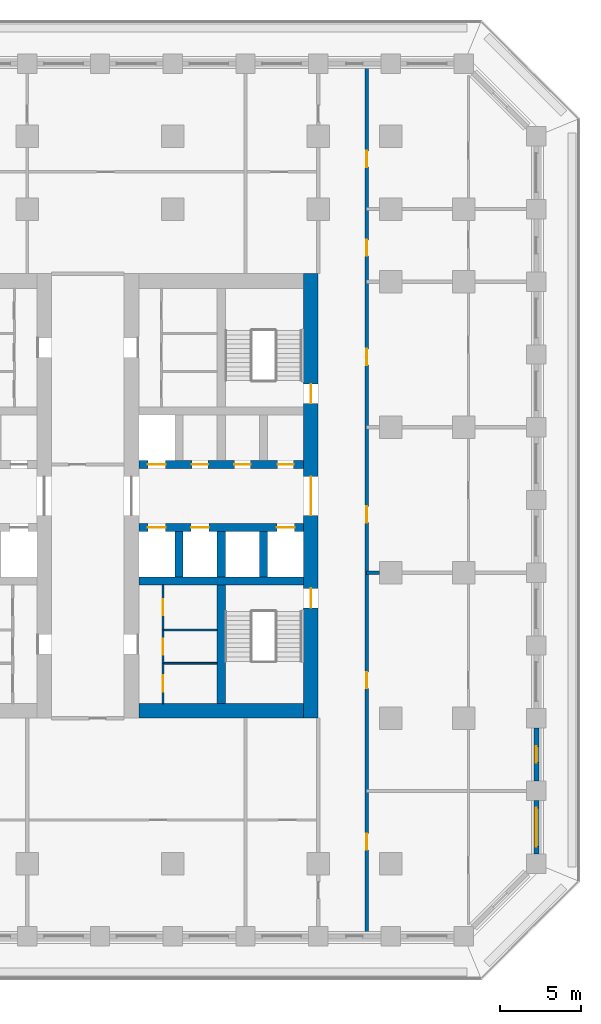
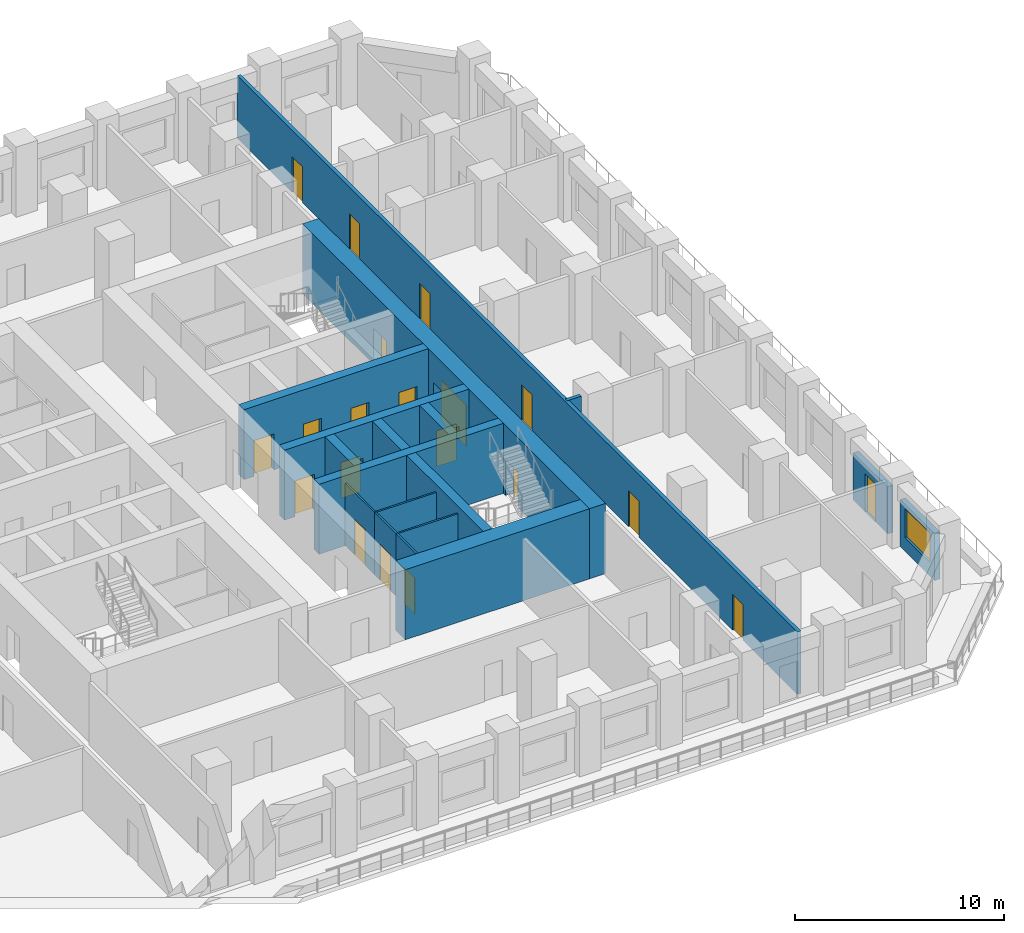
# One storey, part 5 of 17: 20 doors, 18 walls, 1 window, 21 openings.
"""IFC4 building model written with IfcOpenShell, lengths in metres."""

from ifc_helpers import new_model, si_unit, direction, frame, frame_2d, origin, place, context, subcontext, project, spatial, rectangle, extrude, material, layer, layer_set, type_object, element, fill, save


model = new_model("IFC4")

# Units and contexts
model_context = context("Model", 3, precision=1e-05, world=origin(), true_north=direction((0.0, 1.0)))
body_context = subcontext(model_context, "Body", "Model", "MODEL_VIEW")
ifc_project = project(units=[si_unit("LENGTHUNIT", "METRE"), si_unit("AREAUNIT", "SQUARE_METRE"), si_unit("VOLUMEUNIT", "CUBIC_METRE"), si_unit("PLANEANGLEUNIT", "RADIAN"), si_unit("MASSUNIT", "GRAM", prefix="KILO")], contexts=[model_context])

# Site, building, storey
site_placement = place(None, origin())
site = spatial("IfcSite", under=ifc_project, at=site_placement, CompositionType="ELEMENT")
building_placement = place(site_placement, origin())
building = spatial("IfcBuilding", under=site, at=building_placement, Name="Corbel Stack Research Tower", CompositionType="ELEMENT")
storey_placement = place(building_placement, frame((0.0, 0.0, 86.10009765625)))
storey = spatial("IfcBuildingStorey", under=building, at=storey_placement, Name="L19", CompositionType="ELEMENT", Elevation=86.10009765625)

# Wall
ifc_material_1 = material(Name="Concrete C70/85", Category="concrete")
ifc_layer_1 = layer(ifc_material_1, 0.5)
ifc_layer_set_1 = layer_set([ifc_layer_1], Name="Concrete C70/85")
wall_type_1 = type_object("IfcWallType", Name="CW-500-70", PredefinedType="SHEAR", material=ifc_layer_set_1)
wall_1_placement = place(storey_placement, frame((6.89990234375, -0.5, 0.0), z_axis=(0.0, 0.0, 1.0), x_axis=(1.0, 0.0, 0.0)))
element("IfcWall", 1, at=wall_1_placement, inside=storey, type_object=wall_type_1, Name="East core wall, south row back L19", PredefinedType="SHEAR", context=body_context, shape_type="SweptSolid", body=[
    extrude(rectangle(XDim=10.2001953125, YDim=0.5, at=frame_2d((5.10009765625, 0.0))), origin(), (0.0, 0.0, 1.0), 4.099853515625),
])

# Wall, openings, doors
wall_2_placement = place(storey_placement, frame((6.89990234375, 2.800048828125, 0.0), z_axis=(0.0, 0.0, 1.0), x_axis=(1.0, 0.0, 0.0)))
wall_2 = element("IfcWall", 2, at=wall_2_placement, inside=storey, type_object=wall_type_1, Name="East core wall, lobby south L19", PredefinedType="SHEAR", context=body_context, shape_type="SweptSolid", body=[
    extrude(rectangle(XDim=10.2001953125, YDim=0.5, at=frame_2d((5.10009765625, 0.0))), origin(), (0.0, 0.0, 1.0), 4.099853515625),
])
opening_1_placement = place(wall_2_placement, frame((0.5625, 0.0, 0.0)))
opening_1 = element("IfcOpeningElement", 3, at=opening_1_placement, cuts=wall_2, Name="Opening LD-FS2", PredefinedType="OPENING", context=body_context, shape_type="SweptSolid", body=[
    extrude(rectangle(XDim=1.10009765625, YDim=2.10009765625, at=frame_2d((0.550048828125, 1.050048828125))), frame((0.0, 0.260009765625, 0.0), z_axis=(0.0, -1.0, 0.0), x_axis=(1.0, 0.0, 0.0)), (0.0, 0.0, 1.0), 0.52001953125),
])
opening_2_placement = place(wall_2_placement, frame((3.237548828125, 0.0, 0.0)))
opening_2 = element("IfcOpeningElement", 4, at=opening_2_placement, cuts=wall_2, Name="Opening LD-GL2", PredefinedType="OPENING", context=body_context, shape_type="SweptSolid", body=[
    extrude(rectangle(XDim=1.10009765625, YDim=2.10009765625, at=frame_2d((0.550048828125, 1.050048828125))), frame((0.0, 0.260009765625, 0.0), z_axis=(0.0, -1.0, 0.0), x_axis=(1.0, 0.0, 0.0)), (0.0, 0.0, 1.0), 0.52001953125),
])
opening_3_placement = place(wall_2_placement, frame((8.53759765625, 0.0, 0.0)))
opening_3 = element("IfcOpeningElement", 5, at=opening_3_placement, cuts=wall_2, Name="Opening LD-LR3", PredefinedType="OPENING", context=body_context, shape_type="SweptSolid", body=[
    extrude(rectangle(XDim=1.10009765625, YDim=2.10009765625, at=frame_2d((0.550048828125, 1.050048828125))), frame((0.0, 0.260009765625, 0.0), z_axis=(0.0, -1.0, 0.0), x_axis=(1.0, 0.0, 0.0)), (0.0, 0.0, 1.0), 0.52001953125),
])
ifc_material_2 = material(Name="Stainless steel landing door", Category="steel")
door_type_1 = type_object("IfcDoorType", Name="Lift landing door 1100 x 2100", OperationType="DOUBLE_DOOR_SLIDING", PredefinedType="DOOR", material=ifc_material_2)
door_1_placement = place(opening_1_placement, origin())
door_1 = element("IfcDoor", 6, at=door_1_placement, inside=storey, type_object=door_type_1, Name="Landing door FS2", OperationType="DOUBLE_DOOR_SLIDING", OverallHeight=2.10009765625, OverallWidth=1.10009765625, PredefinedType="DOOR", context=body_context, shape_type="SweptSolid", body=[
    extrude(rectangle(XDim=1.10009765625, YDim=2.10009765625, at=frame_2d((0.550048828125, 1.050048828125))), frame((0.0, 0.02490234375, 0.0), z_axis=(0.0, -1.0, 0.0), x_axis=(1.0, 0.0, 0.0)), (0.0, 0.0, 1.0), 0.050048828125),
])
fill(opening_1, door_1)
door_2_placement = place(opening_2_placement, origin())
door_2 = element("IfcDoor", 7, at=door_2_placement, inside=storey, type_object=door_type_1, Name="Landing door GL2", OperationType="DOUBLE_DOOR_SLIDING", OverallHeight=2.10009765625, OverallWidth=1.10009765625, PredefinedType="DOOR", context=body_context, shape_type="SweptSolid", body=[
    extrude(rectangle(XDim=1.10009765625, YDim=2.10009765625, at=frame_2d((0.550048828125, 1.050048828125))), frame((0.0, 0.02490234375, 0.0), z_axis=(0.0, -1.0, 0.0), x_axis=(1.0, 0.0, 0.0)), (0.0, 0.0, 1.0), 0.050048828125),
])
fill(opening_2, door_2)
door_3_placement = place(opening_3_placement, origin())
door_3 = element("IfcDoor", 8, at=door_3_placement, inside=storey, type_object=door_type_1, Name="Landing door LR3", OperationType="DOUBLE_DOOR_SLIDING", OverallHeight=2.10009765625, OverallWidth=1.10009765625, PredefinedType="DOOR", context=body_context, shape_type="SweptSolid", body=[
    extrude(rectangle(XDim=1.10009765625, YDim=2.10009765625, at=frame_2d((0.550048828125, 1.050048828125))), frame((0.0, 0.02490234375, 0.0), z_axis=(0.0, -1.0, 0.0), x_axis=(1.0, 0.0, 0.0)), (0.0, 0.0, 1.0), 0.050048828125),
])
fill(opening_3, door_3)

wall_3_placement = place(storey_placement, frame((6.89990234375, 6.699951171875, 0.0), z_axis=(0.0, 0.0, 1.0), x_axis=(1.0, 0.0, 0.0)))
wall_3 = element("IfcWall", 9, at=wall_3_placement, inside=storey, type_object=wall_type_1, Name="East core wall, lobby north L19", PredefinedType="SHEAR", context=body_context, shape_type="SweptSolid", body=[
    extrude(rectangle(XDim=10.2001953125, YDim=0.5, at=frame_2d((5.10009765625, 0.0))), origin(), (0.0, 0.0, 1.0), 4.099853515625),
])
opening_4_placement = place(wall_3_placement, frame((0.5625, 0.0, 0.0)))
opening_4 = element("IfcOpeningElement", 10, at=opening_4_placement, cuts=wall_3, Name="Opening LD-LR4", PredefinedType="OPENING", context=body_context, shape_type="SweptSolid", body=[
    extrude(rectangle(XDim=1.10009765625, YDim=2.10009765625, at=frame_2d((0.550048828125, 1.050048828125))), frame((0.0, 0.260009765625, 0.0), z_axis=(0.0, -1.0, 0.0), x_axis=(1.0, 0.0, 0.0)), (0.0, 0.0, 1.0), 0.52001953125),
])
opening_5_placement = place(wall_3_placement, frame((3.28759765625, 0.0, 0.0)))
opening_5 = element("IfcOpeningElement", 11, at=opening_5_placement, cuts=wall_3, Name="Opening CR-E12-N2", PredefinedType="OPENING", context=body_context, shape_type="SweptSolid", body=[
    extrude(rectangle(XDim=1.0, YDim=2.10009765625, at=frame_2d((0.5, 1.050048828125))), frame((0.0, 0.260009765625, 0.0), z_axis=(0.0, -1.0, 0.0), x_axis=(1.0, 0.0, 0.0)), (0.0, 0.0, 1.0), 0.52001953125),
])
opening_6_placement = place(wall_3_placement, frame((5.91259765625, 0.0, 0.0)))
opening_6 = element("IfcOpeningElement", 12, at=opening_6_placement, cuts=wall_3, Name="Opening CR-E12-N3", PredefinedType="OPENING", context=body_context, shape_type="SweptSolid", body=[
    extrude(rectangle(XDim=1.0, YDim=2.10009765625, at=frame_2d((0.5, 1.050048828125))), frame((0.0, 0.260009765625, 0.0), z_axis=(0.0, -1.0, 0.0), x_axis=(1.0, 0.0, 0.0)), (0.0, 0.0, 1.0), 0.52001953125),
])
opening_7_placement = place(wall_3_placement, frame((8.58740234375, 0.0, 0.0)))
opening_7 = element("IfcOpeningElement", 13, at=opening_7_placement, cuts=wall_3, Name="Opening CR-E12-N4", PredefinedType="OPENING", context=body_context, shape_type="SweptSolid", body=[
    extrude(rectangle(XDim=1.0, YDim=2.10009765625, at=frame_2d((0.5, 1.050048828125))), frame((0.0, 0.260009765625, 0.0), z_axis=(0.0, -1.0, 0.0), x_axis=(1.0, 0.0, 0.0)), (0.0, 0.0, 1.0), 0.52001953125),
])
door_4_placement = place(opening_4_placement, origin())
door_4 = element("IfcDoor", 14, at=door_4_placement, inside=storey, type_object=door_type_1, Name="Landing door LR4", OperationType="DOUBLE_DOOR_SLIDING", OverallHeight=2.10009765625, OverallWidth=1.10009765625, PredefinedType="DOOR", context=body_context, shape_type="SweptSolid", body=[
    extrude(rectangle(XDim=1.10009765625, YDim=2.10009765625, at=frame_2d((0.550048828125, 1.050048828125))), frame((0.0, 0.02490234375, 0.0), z_axis=(0.0, -1.0, 0.0), x_axis=(1.0, 0.0, 0.0)), (0.0, 0.0, 1.0), 0.050048828125),
])
fill(opening_4, door_4)
ifc_material_3 = material(Name="Painted steel door", Category="steel")
door_type_2 = type_object("IfcDoorType", Name="Service door 1000 x 2100 FD60 left hand", OperationType="SINGLE_SWING_LEFT", PredefinedType="DOOR", material=ifc_material_3)
door_5_placement = place(opening_6_placement, origin())
door_5 = element("IfcDoor", 15, at=door_5_placement, inside=storey, type_object=door_type_2, Name="Mechanical room door E core", OperationType="SINGLE_SWING_LEFT", OverallHeight=2.10009765625, OverallWidth=1.0, PredefinedType="DOOR", context=body_context, shape_type="SweptSolid", body=[
    extrude(rectangle(XDim=1.0, YDim=2.10009765625, at=frame_2d((0.5, 1.050048828125))), frame((0.0, 0.02490234375, 0.0), z_axis=(0.0, -1.0, 0.0), x_axis=(1.0, 0.0, 0.0)), (0.0, 0.0, 1.0), 0.050048828125),
])
fill(opening_6, door_5)
ifc_material_4 = material(Name="Painted steel door", Category="steel")
door_type_3 = type_object("IfcDoorType", Name="Service door 1000 x 2100 FD60 right hand", OperationType="SINGLE_SWING_RIGHT", PredefinedType="DOOR", material=ifc_material_4)
door_6_placement = place(opening_5_placement, origin())
door_6 = element("IfcDoor", 16, at=door_6_placement, inside=storey, type_object=door_type_3, Name="Vending bay door E core", OperationType="SINGLE_SWING_RIGHT", OverallHeight=2.10009765625, OverallWidth=1.0, PredefinedType="DOOR", context=body_context, shape_type="SweptSolid", body=[
    extrude(rectangle(XDim=1.0, YDim=2.10009765625, at=frame_2d((0.5, 1.050048828125))), frame((0.0, 0.02490234375, 0.0), z_axis=(0.0, -1.0, 0.0), x_axis=(1.0, 0.0, 0.0)), (0.0, 0.0, 1.0), 0.050048828125),
])
fill(opening_5, door_6)
door_7_placement = place(opening_7_placement, origin())
door_7 = element("IfcDoor", 17, at=door_7_placement, inside=storey, type_object=door_type_3, Name="Telecom room door E core", OperationType="SINGLE_SWING_RIGHT", OverallHeight=2.10009765625, OverallWidth=1.0, PredefinedType="DOOR", context=body_context, shape_type="SweptSolid", body=[
    extrude(rectangle(XDim=1.0, YDim=2.10009765625, at=frame_2d((0.5, 1.050048828125))), frame((0.0, 0.02490234375, 0.0), z_axis=(0.0, -1.0, 0.0), x_axis=(1.0, 0.0, 0.0)), (0.0, 0.0, 1.0), 0.050048828125),
])
fill(opening_7, door_7)

# Walls
for number, where, z_axis, x_axis, name in (
    (18, (9.375, -0.25, 0.0), (0.0, 0.0, 1.0), (0.0, 1.0, 0.0), "East core wall, south shaft 1 L19"),
    (19, (12.0, -0.25, 0.0), (0.0, 0.0, 1.0), (0.0, 1.0, 0.0), "East core wall, south shaft 2 L19"),
    (20, (14.625, -0.25, 0.0), (0.0, 0.0, 1.0), (0.0, 1.0, 0.0), "East core wall, south shaft 3 L19"),
):
    element("IfcWall", number, at=place(storey_placement, frame(where, z_axis=z_axis, x_axis=x_axis)), inside=storey, type_object=wall_type_1, Name=name, PredefinedType="SHEAR", context=body_context, shape_type="SweptSolid", body=[
        extrude(rectangle(XDim=2.800048828125, YDim=0.5, at=frame_2d((1.39990234375, 0.0))), origin(), (0.0, 0.0, 1.0), 4.099853515625),
    ])
wall_4_placement = place(storey_placement, frame((12.0, -8.10009765625, 0.0), z_axis=(0.0, 0.0, 1.0), x_axis=(0.0, 1.0, 0.0)))
element("IfcWall", 21, at=wall_4_placement, inside=storey, type_object=wall_type_1, Name="East core wall, south stair and WC L19", PredefinedType="SHEAR", context=body_context, shape_type="SweptSolid", body=[
    extrude(rectangle(XDim=7.35009765625, YDim=0.5, at=frame_2d((3.675048828125, 0.0))), origin(), (0.0, 0.0, 1.0), 4.099853515625),
])

# Wall, openings, doors
ifc_material_5 = material(Name="Concrete C70/85", Category="concrete")
ifc_layer_2 = layer(ifc_material_5, 0.89990234375)
ifc_layer_set_2 = layer_set([ifc_layer_2], Name="Concrete C70/85")
wall_type_2 = type_object("IfcWallType", Name="CW-900-70", PredefinedType="SHEAR", material=ifc_layer_set_2)
wall_5_placement = place(storey_placement, frame((17.550048828125, -9.0, 0.0), z_axis=(0.0, 0.0, 1.0), x_axis=(0.0, 1.0, 0.0)))
wall_5 = element("IfcWall", 22, at=wall_5_placement, inside=storey, type_object=wall_type_2, Name="East core wall, east face L19", PredefinedType="SHEAR", context=body_context, shape_type="SweptSolid", body=[
    extrude(rectangle(XDim=27.5, YDim=0.89990234375, at=frame_2d((13.75, 0.0))), origin(), (0.0, 0.0, 1.0), 4.099853515625),
])
opening_8_placement = place(wall_5_placement, frame((12.550048828125, 0.0, 0.0)))
opening_8 = element("IfcOpeningElement", 23, at=opening_8_placement, cuts=wall_5, Name="Opening CD-E-E", PredefinedType="OPENING", context=body_context, shape_type="SweptSolid", body=[
    extrude(rectangle(XDim=2.39990234375, YDim=2.39990234375, at=frame_2d((1.199951171875, 1.199951171875))), frame((0.0, 0.4599609375, 0.0), z_axis=(0.0, -1.0, 0.0), x_axis=(1.0, 0.0, 0.0)), (0.0, 0.0, 1.0), 0.919921875),
])
opening_9_placement = place(wall_5_placement, frame((6.824951171875, 0.0, 0.0)))
opening_9 = element("IfcOpeningElement", 24, at=opening_9_placement, cuts=wall_5, Name="Opening SD-ST-E1", PredefinedType="OPENING", context=body_context, shape_type="SweptSolid", body=[
    extrude(rectangle(XDim=1.199951171875, YDim=2.10009765625, at=frame_2d((0.60009765625, 1.050048828125))), frame((0.0, 0.4599609375, 0.0), z_axis=(0.0, -1.0, 0.0), x_axis=(1.0, 0.0, 0.0)), (0.0, 0.0, 1.0), 0.919921875),
])
opening_10_placement = place(wall_5_placement, frame((19.47509765625, 0.0, 0.0)))
opening_10 = element("IfcOpeningElement", 25, at=opening_10_placement, cuts=wall_5, Name="Opening SD-ST-E2", PredefinedType="OPENING", context=body_context, shape_type="SweptSolid", body=[
    extrude(rectangle(XDim=1.199951171875, YDim=2.10009765625, at=frame_2d((0.60009765625, 1.050048828125))), frame((0.0, 0.4599609375, 0.0), z_axis=(0.0, -1.0, 0.0), x_axis=(1.0, 0.0, 0.0)), (0.0, 0.0, 1.0), 0.919921875),
])
ifc_material_6 = material(Name="Painted steel fire door", Category="steel")
door_type_4 = type_object("IfcDoorType", Name="Lobby door pair 2400 x 2400 FD30S", OperationType="DOUBLE_DOOR_DOUBLE_SWING", PredefinedType="DOOR", material=ifc_material_6)
door_8_placement = place(opening_8_placement, origin())
door_8 = element("IfcDoor", 26, at=door_8_placement, inside=storey, type_object=door_type_4, Name="Lift lobby door E core E", OperationType="DOUBLE_DOOR_DOUBLE_SWING", OverallHeight=2.39990234375, OverallWidth=2.39990234375, PredefinedType="DOOR", context=body_context, shape_type="SweptSolid", body=[
    extrude(rectangle(XDim=2.39990234375, YDim=2.39990234375, at=frame_2d((1.199951171875, 1.199951171875))), frame((0.0, 0.02490234375, 0.0), z_axis=(0.0, -1.0, 0.0), x_axis=(1.0, 0.0, 0.0)), (0.0, 0.0, 1.0), 0.050048828125),
])
fill(opening_8, door_8)
ifc_material_7 = material(Name="Painted steel fire door", Category="steel")
door_type_5 = type_object("IfcDoorType", Name="Stair door 1200 x 2100 FD90 right hand", OperationType="SINGLE_SWING_RIGHT", PredefinedType="DOOR", material=ifc_material_7)
door_9_placement = place(opening_9_placement, frame((1.199951171875, 0.0, 0.0), z_axis=(0.0, 0.0, 1.0), x_axis=(-1.0, 0.0, 0.0)))
door_9 = element("IfcDoor", 27, at=door_9_placement, inside=storey, type_object=door_type_5, Name="Stair door ST-E1", OperationType="SINGLE_SWING_LEFT", OverallHeight=2.10009765625, OverallWidth=1.199951171875, PredefinedType="DOOR", context=body_context, shape_type="SweptSolid", body=[
    extrude(rectangle(XDim=1.199951171875, YDim=2.10009765625, at=frame_2d((0.60009765625, 1.050048828125))), frame((0.0, 0.02490234375, 0.0), z_axis=(0.0, -1.0, 0.0), x_axis=(1.0, 0.0, 0.0)), (0.0, 0.0, 1.0), 0.050048828125),
])
fill(opening_9, door_9)
door_10_placement = place(opening_10_placement, frame((1.199951171875, 0.0, 0.0), z_axis=(0.0, 0.0, 1.0), x_axis=(-1.0, 0.0, 0.0)))
door_10 = element("IfcDoor", 28, at=door_10_placement, inside=storey, type_object=door_type_5, Name="Stair door ST-E2", OperationType="SINGLE_SWING_LEFT", OverallHeight=2.10009765625, OverallWidth=1.199951171875, PredefinedType="DOOR", context=body_context, shape_type="SweptSolid", body=[
    extrude(rectangle(XDim=1.199951171875, YDim=2.10009765625, at=frame_2d((0.60009765625, 1.050048828125))), frame((0.0, 0.02490234375, 0.0), z_axis=(0.0, -1.0, 0.0), x_axis=(1.0, 0.0, 0.0)), (0.0, 0.0, 1.0), 0.050048828125),
])
fill(opening_10, door_10)

# Wall
wall_6_placement = place(storey_placement, frame((6.89990234375, -8.550048828125, 0.0), z_axis=(0.0, 0.0, 1.0), x_axis=(1.0, 0.0, 0.0)))
element("IfcWall", 29, at=wall_6_placement, inside=storey, type_object=wall_type_2, Name="East core wall, south end L19", PredefinedType="SHEAR", context=body_context, shape_type="SweptSolid", body=[
    extrude(rectangle(XDim=10.2001953125, YDim=0.89990234375, at=frame_2d((5.10009765625, 0.0))), origin(), (0.0, 0.0, 1.0), 4.099853515625),
])

# Wall, opening, door
ifc_material_8 = material(Name="Gypsum board")
ifc_layer_3 = layer(ifc_material_8, 0.10009765625)
ifc_layer_set_3 = layer_set([ifc_layer_3], Name="Gypsum board")
wall_type_3 = type_object("IfcWallType", Name="Core partition 100", PredefinedType="PARTITIONING", material=ifc_layer_set_3)
wall_7_placement = place(storey_placement, frame((8.39990234375, -8.10009765625, 0.0), z_axis=(0.0, 0.0, 1.0), x_axis=(0.0, 1.0, 0.0)))
wall_7 = element("IfcWall", 30, at=wall_7_placement, inside=storey, type_object=wall_type_3, Name="Core partition E", PredefinedType="PARTITIONING", context=body_context, shape_type="SweptSolid", body=[
    extrude(rectangle(XDim=2.4990234375, YDim=0.10009765625, at=frame_2d((1.24951171875, 0.0))), origin(), (0.0, 0.0, 1.0), 3.64990234375),
])
opening_11_placement = place(wall_7_placement, frame((0.74951171875, 0.0, 0.0)))
opening_11 = element("IfcOpeningElement", 31, at=opening_11_placement, cuts=wall_7, Name="Opening CR-E12-W2-1000", PredefinedType="OPENING", context=body_context, shape_type="SweptSolid", body=[
    extrude(rectangle(XDim=1.0, YDim=2.10009765625, at=frame_2d((0.5, 1.050048828125))), frame((0.0, 0.06005859375, 0.0), z_axis=(0.0, -1.0, 0.0), x_axis=(1.0, 0.0, 0.0)), (0.0, 0.0, 1.0), 0.1201171875),
])
ifc_material_9 = material(Name="Painted timber door", Category="wood")
door_type_6 = type_object("IfcDoorType", Name="WC door 1000 x 2100 left hand", OperationType="SINGLE_SWING_LEFT", PredefinedType="DOOR", material=ifc_material_9)
door_11_placement = place(opening_11_placement, origin())
door_11 = element("IfcDoor", 32, at=door_11_placement, inside=storey, type_object=door_type_6, Name="Men's WC door E core", OperationType="SINGLE_SWING_LEFT", OverallHeight=2.10009765625, OverallWidth=1.0, PredefinedType="DOOR", context=body_context, shape_type="SweptSolid", body=[
    extrude(rectangle(XDim=1.0, YDim=2.10009765625, at=frame_2d((0.5, 1.050048828125))), frame((0.0, 0.02490234375, 0.0), z_axis=(0.0, -1.0, 0.0), x_axis=(1.0, 0.0, 0.0)), (0.0, 0.0, 1.0), 0.050048828125),
])
fill(opening_11, door_11)

wall_8_placement = place(storey_placement, frame((8.39990234375, -5.60107421875, 0.0), z_axis=(0.0, 0.0, 1.0), x_axis=(0.0, 1.0, 0.0)))
wall_8 = element("IfcWall", 33, at=wall_8_placement, inside=storey, type_object=wall_type_3, Name="Core partition E", PredefinedType="PARTITIONING", context=body_context, shape_type="SweptSolid", body=[
    extrude(rectangle(XDim=2.05810546875, YDim=0.10009765625, at=frame_2d((1.029052734375, 0.0))), origin(), (0.0, 0.0, 1.0), 3.64990234375),
])
opening_12_placement = place(wall_8_placement, frame((0.529052734375, 0.0, 0.0)))
opening_12 = element("IfcOpeningElement", 34, at=opening_12_placement, cuts=wall_8, Name="Opening CR-E12-W3-1000", PredefinedType="OPENING", context=body_context, shape_type="SweptSolid", body=[
    extrude(rectangle(XDim=1.0, YDim=2.10009765625, at=frame_2d((0.5, 1.050048828125))), frame((0.0, 0.06005859375, 0.0), z_axis=(0.0, -1.0, 0.0), x_axis=(1.0, 0.0, 0.0)), (0.0, 0.0, 1.0), 0.1201171875),
])
ifc_material_10 = material(Name="Painted timber door", Category="wood")
door_type_7 = type_object("IfcDoorType", Name="WC door 1000 x 2100 right hand", OperationType="SINGLE_SWING_RIGHT", PredefinedType="DOOR", material=ifc_material_10)
door_12_placement = place(opening_12_placement, origin())
door_12 = element("IfcDoor", 35, at=door_12_placement, inside=storey, type_object=door_type_7, Name="Accessible WC door E core", OperationType="SINGLE_SWING_RIGHT", OverallHeight=2.10009765625, OverallWidth=1.0, PredefinedType="DOOR", context=body_context, shape_type="SweptSolid", body=[
    extrude(rectangle(XDim=1.0, YDim=2.10009765625, at=frame_2d((0.5, 1.050048828125))), frame((0.0, 0.02490234375, 0.0), z_axis=(0.0, -1.0, 0.0), x_axis=(1.0, 0.0, 0.0)), (0.0, 0.0, 1.0), 0.050048828125),
])
fill(opening_12, door_12)

wall_9_placement = place(storey_placement, frame((8.39990234375, -3.54296875, 0.0), z_axis=(0.0, 0.0, 1.0), x_axis=(0.0, 1.0, 0.0)))
wall_9 = element("IfcWall", 36, at=wall_9_placement, inside=storey, type_object=wall_type_3, Name="Core partition E", PredefinedType="PARTITIONING", context=body_context, shape_type="SweptSolid", body=[
    extrude(rectangle(XDim=2.79296875, YDim=0.10009765625, at=frame_2d((1.396484375, 0.0))), origin(), (0.0, 0.0, 1.0), 3.64990234375),
])
opening_13_placement = place(wall_9_placement, frame((0.896484375, 0.0, 0.0)))
opening_13 = element("IfcOpeningElement", 37, at=opening_13_placement, cuts=wall_9, Name="Opening CR-E12-W4-1000", PredefinedType="OPENING", context=body_context, shape_type="SweptSolid", body=[
    extrude(rectangle(XDim=1.0, YDim=2.10009765625, at=frame_2d((0.5, 1.050048828125))), frame((0.0, 0.06005859375, 0.0), z_axis=(0.0, -1.0, 0.0), x_axis=(1.0, 0.0, 0.0)), (0.0, 0.0, 1.0), 0.1201171875),
])
door_13_placement = place(opening_13_placement, origin())
door_13 = element("IfcDoor", 38, at=door_13_placement, inside=storey, type_object=door_type_6, Name="Women's WC door E core", OperationType="SINGLE_SWING_LEFT", OverallHeight=2.10009765625, OverallWidth=1.0, PredefinedType="DOOR", context=body_context, shape_type="SweptSolid", body=[
    extrude(rectangle(XDim=1.0, YDim=2.10009765625, at=frame_2d((0.5, 1.050048828125))), frame((0.0, 0.02490234375, 0.0), z_axis=(0.0, -1.0, 0.0), x_axis=(1.0, 0.0, 0.0)), (0.0, 0.0, 1.0), 0.050048828125),
])
fill(opening_13, door_13)

# Walls
for number, where, z_axis, x_axis, name in (
    (39, (8.39990234375, -5.60107421875, 0.0), (0.0, 0.0, 1.0), (1.0, 0.0, 0.0), "Core partition E"),
    (40, (8.39990234375, -3.54296875, 0.0), (0.0, 0.0, 1.0), (1.0, 0.0, 0.0), "Core partition E"),
):
    element("IfcWall", number, at=place(storey_placement, frame(where, z_axis=z_axis, x_axis=x_axis)), inside=storey, type_object=wall_type_3, Name=name, PredefinedType="PARTITIONING", context=body_context, shape_type="SweptSolid", body=[
        extrude(rectangle(XDim=3.35009765625, YDim=0.10009765625, at=frame_2d((1.675048828125, 0.0))), origin(), (0.0, 0.0, 1.0), 3.64990234375),
    ])

# Wall, openings, doors
ifc_material_11 = material(Name="Fire-rated gypsum board partition on steel studs", Category="steel")
ifc_layer_4 = layer(ifc_material_11, 0.199951171875)
ifc_layer_set_4 = layer_set([ifc_layer_4], Name="Fire-rated gypsum board partition on steel studs")
wall_type_4 = type_object("IfcWallType", Name="Fire-rated partition 200 EI 60", PredefinedType="PARTITIONING", material=ifc_layer_set_4)
wall_10_placement = place(storey_placement, frame((21.0, 31.35009765625, 0.0), z_axis=(0.0, 0.0, 1.0), x_axis=(0.0, -1.0, 0.0)))
wall_10 = element("IfcWall", 41, at=wall_10_placement, inside=storey, type_object=wall_type_4, Name="Partition L19-016", PredefinedType="PARTITIONING", context=body_context, shape_type="SweptSolid", body=[
    extrude(rectangle(XDim=53.7001953125, YDim=0.199951171875, at=frame_2d((26.85009765625, 0.0))), origin(), (0.0, 0.0, 1.0), 3.64990234375),
])
opening_14_placement = place(wall_10_placement, frame((47.5, 0.0, 0.0)))
opening_14 = element("IfcOpeningElement", 42, at=opening_14_placement, cuts=wall_10, Name="Opening B3V1-017", PredefinedType="OPENING", context=body_context, shape_type="SweptSolid", body=[
    extrude(rectangle(XDim=1.0, YDim=2.10009765625, at=frame_2d((0.5, 1.050048828125))), frame((0.0, 0.10986328125, 0.0), z_axis=(0.0, -1.0, 0.0), x_axis=(1.0, 0.0, 0.0)), (0.0, 0.0, 1.0), 0.219970703125),
])
opening_15_placement = place(wall_10_placement, frame((37.5, 0.0, 0.0)))
opening_15 = element("IfcOpeningElement", 43, at=opening_15_placement, cuts=wall_10, Name="Opening B3V1-018", PredefinedType="OPENING", context=body_context, shape_type="SweptSolid", body=[
    extrude(rectangle(XDim=1.0, YDim=2.10009765625, at=frame_2d((0.5, 1.050048828125))), frame((0.0, 0.10986328125, 0.0), z_axis=(0.0, -1.0, 0.0), x_axis=(1.0, 0.0, 0.0)), (0.0, 0.0, 1.0), 0.219970703125),
])
opening_16_placement = place(wall_10_placement, frame((27.25, 0.0, 0.0)))
opening_16 = element("IfcOpeningElement", 44, at=opening_16_placement, cuts=wall_10, Name="Opening B3V1-019", PredefinedType="OPENING", context=body_context, shape_type="SweptSolid", body=[
    extrude(rectangle(XDim=1.0, YDim=2.10009765625, at=frame_2d((0.5, 1.050048828125))), frame((0.0, 0.10986328125, 0.0), z_axis=(0.0, -1.0, 0.0), x_axis=(1.0, 0.0, 0.0)), (0.0, 0.0, 1.0), 0.219970703125),
])
opening_17_placement = place(wall_10_placement, frame((17.5, 0.0, 0.0)))
opening_17 = element("IfcOpeningElement", 45, at=opening_17_placement, cuts=wall_10, Name="Opening B3V1-020", PredefinedType="OPENING", context=body_context, shape_type="SweptSolid", body=[
    extrude(rectangle(XDim=1.0, YDim=2.10009765625, at=frame_2d((0.5, 1.050048828125))), frame((0.0, 0.10986328125, 0.0), z_axis=(0.0, -1.0, 0.0), x_axis=(1.0, 0.0, 0.0)), (0.0, 0.0, 1.0), 0.219970703125),
])
opening_18_placement = place(wall_10_placement, frame((10.75, 0.0, 0.0)))
opening_18 = element("IfcOpeningElement", 46, at=opening_18_placement, cuts=wall_10, Name="Opening B3V1-021", PredefinedType="OPENING", context=body_context, shape_type="SweptSolid", body=[
    extrude(rectangle(XDim=1.0, YDim=2.10009765625, at=frame_2d((0.5, 1.050048828125))), frame((0.0, 0.10986328125, 0.0), z_axis=(0.0, -1.0, 0.0), x_axis=(1.0, 0.0, 0.0)), (0.0, 0.0, 1.0), 0.219970703125),
])
opening_19_placement = place(wall_10_placement, frame((5.25, 0.0, 0.0)))
opening_19 = element("IfcOpeningElement", 47, at=opening_19_placement, cuts=wall_10, Name="Opening B3V1-022", PredefinedType="OPENING", context=body_context, shape_type="SweptSolid", body=[
    extrude(rectangle(XDim=1.0, YDim=2.10009765625, at=frame_2d((0.5, 1.050048828125))), frame((0.0, 0.10986328125, 0.0), z_axis=(0.0, -1.0, 0.0), x_axis=(1.0, 0.0, 0.0)), (0.0, 0.0, 1.0), 0.219970703125),
])
ifc_material_12 = material(Name="Painted steel fire door", Category="steel")
door_type_8 = type_object("IfcDoorType", Name="Fire door FD30S 1000 x 2100", OperationType="NOTDEFINED", PredefinedType="DOOR", material=ifc_material_12)
door_14_placement = place(opening_14_placement, origin())
door_14 = element("IfcDoor", 48, at=door_14_placement, inside=storey, type_object=door_type_8, Name="Door B3V1-017", OperationType="SINGLE_SWING_RIGHT", OverallHeight=2.10009765625, OverallWidth=1.0, PredefinedType="DOOR", context=body_context, shape_type="SweptSolid", body=[
    extrude(rectangle(XDim=1.0, YDim=2.10009765625, at=frame_2d((0.5, 1.050048828125))), frame((0.0, 0.02490234375, 0.0), z_axis=(0.0, -1.0, 0.0), x_axis=(1.0, 0.0, 0.0)), (0.0, 0.0, 1.0), 0.050048828125),
])
fill(opening_14, door_14)
door_15_placement = place(opening_15_placement, origin())
door_15 = element("IfcDoor", 49, at=door_15_placement, inside=storey, type_object=door_type_8, Name="Door B3V1-018", OperationType="SINGLE_SWING_RIGHT", OverallHeight=2.10009765625, OverallWidth=1.0, PredefinedType="DOOR", context=body_context, shape_type="SweptSolid", body=[
    extrude(rectangle(XDim=1.0, YDim=2.10009765625, at=frame_2d((0.5, 1.050048828125))), frame((0.0, 0.02490234375, 0.0), z_axis=(0.0, -1.0, 0.0), x_axis=(1.0, 0.0, 0.0)), (0.0, 0.0, 1.0), 0.050048828125),
])
fill(opening_15, door_15)
door_16_placement = place(opening_16_placement, origin())
door_16 = element("IfcDoor", 50, at=door_16_placement, inside=storey, type_object=door_type_8, Name="Door B3V1-019", OperationType="SINGLE_SWING_RIGHT", OverallHeight=2.10009765625, OverallWidth=1.0, PredefinedType="DOOR", context=body_context, shape_type="SweptSolid", body=[
    extrude(rectangle(XDim=1.0, YDim=2.10009765625, at=frame_2d((0.5, 1.050048828125))), frame((0.0, 0.02490234375, 0.0), z_axis=(0.0, -1.0, 0.0), x_axis=(1.0, 0.0, 0.0)), (0.0, 0.0, 1.0), 0.050048828125),
])
fill(opening_16, door_16)
door_17_placement = place(opening_17_placement, origin())
door_17 = element("IfcDoor", 51, at=door_17_placement, inside=storey, type_object=door_type_8, Name="Door B3V1-020", OperationType="SINGLE_SWING_LEFT", OverallHeight=2.10009765625, OverallWidth=1.0, PredefinedType="DOOR", context=body_context, shape_type="SweptSolid", body=[
    extrude(rectangle(XDim=1.0, YDim=2.10009765625, at=frame_2d((0.5, 1.050048828125))), frame((0.0, 0.02490234375, 0.0), z_axis=(0.0, -1.0, 0.0), x_axis=(1.0, 0.0, 0.0)), (0.0, 0.0, 1.0), 0.050048828125),
])
fill(opening_17, door_17)
door_18_placement = place(opening_18_placement, origin())
door_18 = element("IfcDoor", 52, at=door_18_placement, inside=storey, type_object=door_type_8, Name="Door B3V1-021", OperationType="SINGLE_SWING_LEFT", OverallHeight=2.10009765625, OverallWidth=1.0, PredefinedType="DOOR", context=body_context, shape_type="SweptSolid", body=[
    extrude(rectangle(XDim=1.0, YDim=2.10009765625, at=frame_2d((0.5, 1.050048828125))), frame((0.0, 0.02490234375, 0.0), z_axis=(0.0, -1.0, 0.0), x_axis=(1.0, 0.0, 0.0)), (0.0, 0.0, 1.0), 0.050048828125),
])
fill(opening_18, door_18)
door_19_placement = place(opening_19_placement, origin())
door_19 = element("IfcDoor", 53, at=door_19_placement, inside=storey, type_object=door_type_8, Name="Door B3V1-022", OperationType="SINGLE_SWING_LEFT", OverallHeight=2.10009765625, OverallWidth=1.0, PredefinedType="DOOR", context=body_context, shape_type="SweptSolid", body=[
    extrude(rectangle(XDim=1.0, YDim=2.10009765625, at=frame_2d((0.5, 1.050048828125))), frame((0.0, 0.02490234375, 0.0), z_axis=(0.0, -1.0, 0.0), x_axis=(1.0, 0.0, 0.0)), (0.0, 0.0, 1.0), 0.050048828125),
])
fill(opening_19, door_19)

# Wall
wall_11_placement = place(storey_placement, frame((21.0, 0.0, 0.0), z_axis=(0.0, 0.0, 1.0), x_axis=(1.0, 0.0, 0.0)))
element("IfcWall", 54, at=wall_11_placement, inside=storey, type_object=wall_type_4, Name="Partition L19-029", PredefinedType="PARTITIONING", context=body_context, shape_type="SweptSolid", body=[
    extrude(rectangle(XDim=0.800048828125, YDim=0.199951171875, at=frame_2d((0.39990234375, 0.0))), origin(), (0.0, 0.0, 1.0), 3.64990234375),
])

# Wall, opening, window
ifc_material_13 = material(Name="Concrete C45/55", Category="concrete")
ifc_layer_5 = layer(ifc_material_13, 0.300048828125)
ifc_layer_set_5 = layer_set([ifc_layer_5], Name="Concrete C45/55")
wall_type_5 = type_object("IfcWallType", Name="Terracotta-faced concrete wall 300", PredefinedType="SOLIDWALL", material=ifc_layer_set_5)
wall_12_placement = place(storey_placement, frame((31.5, -14.10009765625, 0.0), z_axis=(0.0, 0.0, 1.0), x_axis=(0.0, -1.0, 0.0)))
wall_12 = element("IfcWall", 55, at=wall_12_placement, inside=storey, type_object=wall_type_5, Name="Facade wall L19 E01", PredefinedType="SOLIDWALL", context=body_context, shape_type="SweptSolid", body=[
    extrude(rectangle(XDim=3.2998046875, YDim=0.300048828125, at=frame_2d((1.64990234375, 0.0))), origin(), (0.0, 0.0, 1.0), 2.75),
])
opening_20_placement = place(wall_12_placement, frame((0.449951171875, 0.0, 0.800048828125)))
opening_20 = element("IfcOpeningElement", 56, at=opening_20_placement, cuts=wall_12, Name="Opening W1", PredefinedType="OPENING", context=body_context, shape_type="SweptSolid", body=[
    extrude(rectangle(XDim=2.39990234375, YDim=1.699951171875, at=frame_2d((1.199951171875, 0.85009765625))), frame((0.0, 0.159912109375, 0.0), z_axis=(0.0, -1.0, 0.0), x_axis=(1.0, 0.0, 0.0)), (0.0, 0.0, 1.0), 0.320068359375),
])
ifc_material_14 = material(Name="Aluminium frame, clear double glazing", Category="aluminium")
window_type = type_object("IfcWindowType", Name="Window W1 2400 x 1700", PartitioningType="SINGLE_PANEL", PredefinedType="WINDOW", material=ifc_material_14)
window_placement = place(opening_20_placement, origin())
window = element("IfcWindow", 57, at=window_placement, inside=storey, type_object=window_type, Name="Window W1 L19 E01", OverallHeight=1.699951171875, OverallWidth=2.39990234375, PartitioningType="SINGLE_PANEL", PredefinedType="WINDOW", context=body_context, shape_type="SweptSolid", body=[
    extrude(rectangle(XDim=2.39990234375, YDim=1.699951171875, at=frame_2d((1.199951171875, 0.85009765625))), frame((0.0, 0.030029296875, 0.0), z_axis=(0.0, -1.0, 0.0), x_axis=(1.0, 0.0, 0.0)), (0.0, 0.0, 1.0), 0.06005859375),
])
fill(opening_20, window)

# Wall, opening, door
wall_13_placement = place(storey_placement, frame((31.5, -9.60009765625, 0.0), z_axis=(0.0, 0.0, 1.0), x_axis=(0.0, -1.0, 0.0)))
wall_13 = element("IfcWall", 58, at=wall_13_placement, inside=storey, type_object=wall_type_5, Name="Facade wall L19 E02", PredefinedType="SOLIDWALL", context=body_context, shape_type="SweptSolid", body=[
    extrude(rectangle(XDim=3.2998046875, YDim=0.300048828125, at=frame_2d((1.64990234375, 0.0))), origin(), (0.0, 0.0, 1.0), 2.75),
])
opening_21_placement = place(wall_13_placement, frame((1.14990234375, 0.0, 0.0)))
opening_21 = element("IfcOpeningElement", 59, at=opening_21_placement, cuts=wall_13, Name="Opening L19-B04", PredefinedType="OPENING", context=body_context, shape_type="SweptSolid", body=[
    extrude(rectangle(XDim=1.0, YDim=2.199951171875, at=frame_2d((0.5, 1.10009765625))), frame((0.0, 0.159912109375, 0.0), z_axis=(0.0, -1.0, 0.0), x_axis=(1.0, 0.0, 0.0)), (0.0, 0.0, 1.0), 0.320068359375),
])
ifc_material_15 = material(Name="Aluminium frame, clear double glazing", Category="aluminium")
door_type_9 = type_object("IfcDoorType", Name="Balcony door BD1 1000 x 2200", OperationType="NOTDEFINED", PredefinedType="DOOR", material=ifc_material_15)
door_20_placement = place(opening_21_placement, origin())
door_20 = element("IfcDoor", 60, at=door_20_placement, inside=storey, type_object=door_type_9, Name="Balcony door L19-B04", OperationType="SINGLE_SWING_LEFT", OverallHeight=2.199951171875, OverallWidth=1.0, PredefinedType="DOOR", context=body_context, shape_type="SweptSolid", body=[
    extrude(rectangle(XDim=1.0, YDim=2.199951171875, at=frame_2d((0.5, 1.10009765625))), frame((0.0, 0.02490234375, 0.0), z_axis=(0.0, -1.0, 0.0), x_axis=(1.0, 0.0, 0.0)), (0.0, 0.0, 1.0), 0.050048828125),
])
fill(opening_21, door_20)

save(model, "model.ifc")
